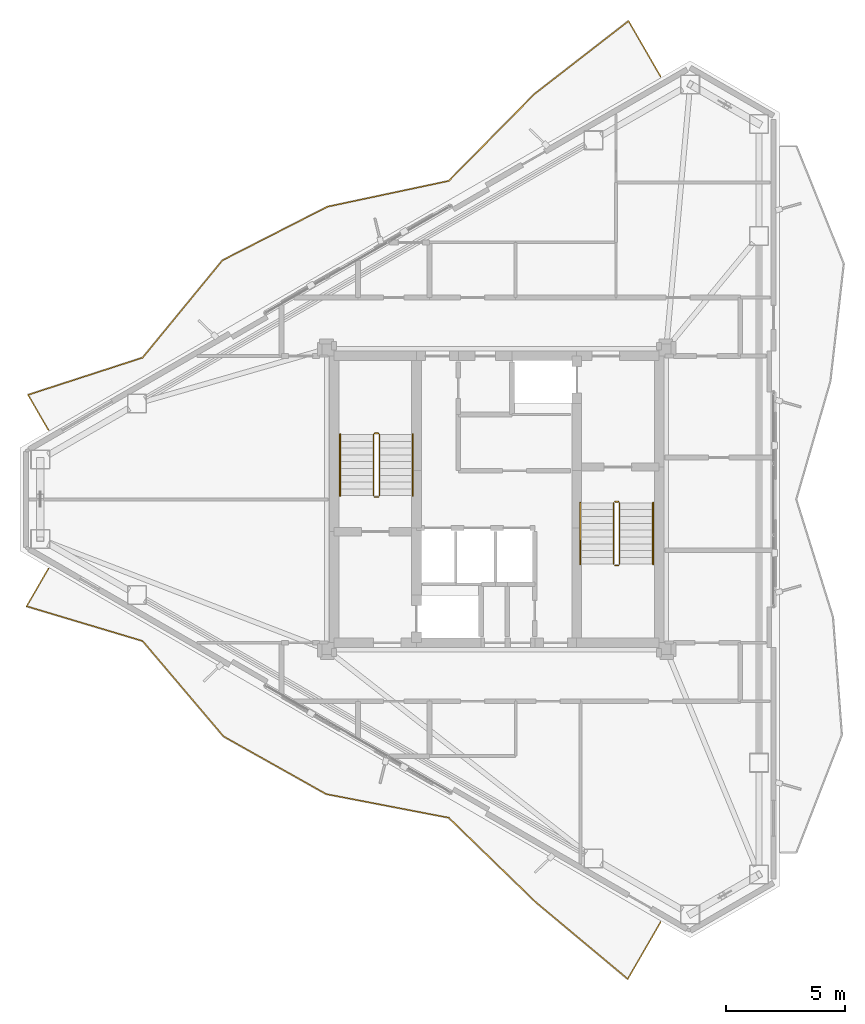
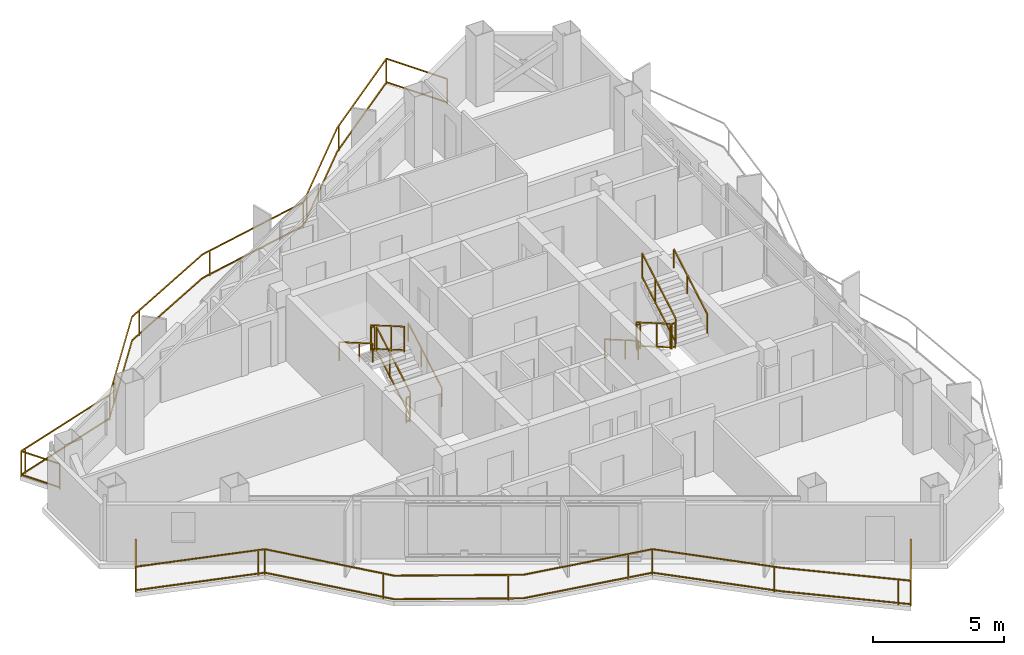
# One storey, part 20 of 21: 14 railings.
"""IFC4 building model written with IfcOpenShell, lengths in metres."""

from ifc_helpers import new_model, si_unit, direction, frame, origin, origin_2d, place, context, subcontext, project, spatial, rectangle, extrude, material, type_object, element, save


model = new_model("IFC4")

# Units and contexts
model_context = context("Model", 3, precision=1e-05, world=origin(), true_north=direction((0.0, 1.0)))
body_context = subcontext(model_context, "Body", "Model", "MODEL_VIEW")
ifc_project = project(units=[si_unit("LENGTHUNIT", "METRE"), si_unit("AREAUNIT", "SQUARE_METRE"), si_unit("VOLUMEUNIT", "CUBIC_METRE"), si_unit("PLANEANGLEUNIT", "RADIAN"), si_unit("MASSUNIT", "GRAM", prefix="KILO")], contexts=[model_context])

# Site, building, storey
site_placement = place(None, origin())
site = spatial("IfcSite", under=ifc_project, at=site_placement, CompositionType="ELEMENT")
building_placement = place(site_placement, origin())
building = spatial("IfcBuilding", under=site, at=building_placement, Name="Mersakhor Tower and Convention Hall", CompositionType="ELEMENT")
storey_placement = place(building_placement, frame((0.0, 0.0, 215.10009765625)))
storey = spatial("IfcBuildingStorey", under=building, at=storey_placement, Name="L60", CompositionType="ELEMENT", Elevation=215.10009765625)

# Railings
ifc_material_1 = material(Name="Powder-coated galvanised steel and laminated glass balustrade", Category="steel")
railing_type_1 = type_object("IfcRailingType", Name="RL-BAL-1200", PredefinedType="BALUSTRADE", material=ifc_material_1)
railing_1_placement = place(storey_placement, frame((35.86669921875, 44.44189453125, 0.0)))
element("IfcRailing", 1, at=railing_1_placement, inside=storey, type_object=railing_type_1, Name="L60 Sinusoidal Balcony Balustrade F1", PredefinedType="BALUSTRADE", context=body_context, shape_type="SweptSolid", body=[
    extrude(rectangle(XDim=0.048095703125, YDim=0.048095703125, at=origin_2d()), frame((0.0, 0.0, 1.17578125), z_axis=(-0.500024397361, 0.866011317503, 0.0), x_axis=(-0.866011317503, -0.500024397361, 0.0)), (0.0, 0.0, 1.0), 2.682861328125),
    extrude(rectangle(XDim=0.048095703125, YDim=0.048095703125, at=origin_2d()), frame((0.0, 0.0, 0.080078125), z_axis=(-0.500024397361, 0.866011317503, 0.0), x_axis=(-0.866011317503, -0.500024397361, 0.0)), (0.0, 0.0, 1.0), 2.682861328125),
    extrude(rectangle(XDim=0.048095703125, YDim=0.048095703125, at=origin_2d()), frame((-1.341552734375, 2.323486328125, 1.17578125), z_axis=(-0.790170348595, -0.612887281807, 0.0), x_axis=(0.612887281807, -0.790170348595, 0.0)), (0.0, 0.0, 1.0), 4.976806640625),
    extrude(rectangle(XDim=0.048095703125, YDim=0.048095703125, at=origin_2d()), frame((-1.341552734375, 2.323486328125, 0.080078125), z_axis=(-0.790170348595, -0.612887281807, 0.0), x_axis=(0.612887281807, -0.790170348595, 0.0)), (0.0, 0.0, 1.0), 4.976806640625),
    extrude(rectangle(XDim=0.048095703125, YDim=0.048095703125, at=origin_2d()), frame((-5.274169921875, -0.726806640625, 1.17578125), z_axis=(-0.702220775927, -0.711959255756, 0.0), x_axis=(0.711959255756, -0.702220775927, 0.0)), (0.0, 0.0, 1.0), 5.1142578125),
    extrude(rectangle(XDim=0.048095703125, YDim=0.048095703125, at=origin_2d()), frame((-5.274169921875, -0.726806640625, 0.080078125), z_axis=(-0.702220775927, -0.711959255756, 0.0), x_axis=(0.711959255756, -0.702220775927, 0.0)), (0.0, 0.0, 1.0), 5.1142578125),
    extrude(rectangle(XDim=0.048095703125, YDim=0.048095703125, at=origin_2d()), frame((-8.865478515625, -4.367919921875, 1.17578125), z_axis=(-0.978161363996, -0.20784692922, 0.0), x_axis=(0.20784692922, -0.978161363996, 0.0)), (0.0, 0.0, 1.0), 5.184814453125),
    extrude(rectangle(XDim=0.048095703125, YDim=0.048095703125, at=origin_2d()), frame((-8.865478515625, -4.367919921875, 0.080078125), z_axis=(-0.978161363996, -0.20784692922, 0.0), x_axis=(0.20784692922, -0.978161363996, 0.0)), (0.0, 0.0, 1.0), 5.184814453125),
    extrude(rectangle(XDim=0.048095703125, YDim=0.048095703125, at=origin_2d()), frame((-13.93701171875, -5.445556640625, 1.17578125), z_axis=(-0.890748388822, -0.454496763256, 0.0), x_axis=(0.454496763256, -0.890748388822, 0.0)), (0.0, 0.0, 1.0), 4.937744140625),
    extrude(rectangle(XDim=0.048095703125, YDim=0.048095703125, at=origin_2d()), frame((-13.93701171875, -5.445556640625, 0.080078125), z_axis=(-0.890748388822, -0.454496763256, 0.0), x_axis=(0.454496763256, -0.890748388822, 0.0)), (0.0, 0.0, 1.0), 4.937744140625),
    extrude(rectangle(XDim=0.048095703125, YDim=0.048095703125, at=origin_2d()), frame((-18.335205078125, -7.689697265625, 1.17578125), z_axis=(-0.634107846121, -0.773244618144, 0.0), x_axis=(0.773244618144, -0.634107846121, 0.0)), (0.0, 0.0, 1.0), 5.269287109375),
    extrude(rectangle(XDim=0.048095703125, YDim=0.048095703125, at=origin_2d()), frame((-18.335205078125, -7.689697265625, 0.080078125), z_axis=(-0.634107846121, -0.773244618144, 0.0), x_axis=(0.773244618144, -0.634107846121, 0.0)), (0.0, 0.0, 1.0), 5.269287109375),
    extrude(rectangle(XDim=0.048095703125, YDim=0.048095703125, at=origin_2d()), frame((-21.676513671875, -11.76416015625, 1.17578125), z_axis=(-0.951166725788, -0.3086775984, 0.0), x_axis=(0.3086775984, -0.951166725788, 0.0)), (0.0, 0.0, 1.0), 5.041259765625),
    extrude(rectangle(XDim=0.048095703125, YDim=0.048095703125, at=origin_2d()), frame((-21.676513671875, -11.76416015625, 0.080078125), z_axis=(-0.951166725788, -0.3086775984, 0.0), x_axis=(0.3086775984, -0.951166725788, 0.0)), (0.0, 0.0, 1.0), 5.041259765625),
    extrude(rectangle(XDim=0.048095703125, YDim=0.048095703125, at=origin_2d()), frame((-26.4716796875, -13.3203125, 1.17578125), z_axis=(0.499954529098, -0.86605165483, 0.0), x_axis=(0.86605165483, 0.499954529098, 0.0)), (0.0, 0.0, 1.0), 1.699951171875),
    extrude(rectangle(XDim=0.048095703125, YDim=0.048095703125, at=origin_2d()), frame((-26.4716796875, -13.3203125, 0.080078125), z_axis=(0.499954529098, -0.86605165483, 0.0), x_axis=(0.86605165483, 0.499954529098, 0.0)), (0.0, 0.0, 1.0), 1.699951171875),
    extrude(rectangle(XDim=0.0419921875, YDim=0.0419921875, at=origin_2d()), origin(), (0.0, 0.0, 1.0), 1.15185546875),
    extrude(rectangle(XDim=0.0419921875, YDim=0.0419921875, at=origin_2d()), frame((-1.341552734375, 2.323486328125, 0.0)), (0.0, 0.0, 1.0), 1.15185546875),
    extrude(rectangle(XDim=0.0419921875, YDim=0.0419921875, at=origin_2d()), frame((-5.13427734375, -0.618408203125, 0.0)), (0.0, 0.0, 1.0), 1.15185546875),
    extrude(rectangle(XDim=0.0419921875, YDim=0.0419921875, at=origin_2d()), frame((-8.5205078125, -4.018310546875, 0.0)), (0.0, 0.0, 1.0), 1.15185546875),
    extrude(rectangle(XDim=0.0419921875, YDim=0.0419921875, at=origin_2d()), frame((-8.865478515625, -4.367919921875, 0.0)), (0.0, 0.0, 1.0), 1.15185546875),
    extrude(rectangle(XDim=0.0419921875, YDim=0.0419921875, at=origin_2d()), frame((-13.560546875, -5.365478515625, 0.0)), (0.0, 0.0, 1.0), 1.15185546875),
    extrude(rectangle(XDim=0.0419921875, YDim=0.0419921875, at=origin_2d()), frame((-17.869873046875, -7.4521484375, 0.0)), (0.0, 0.0, 1.0), 1.15185546875),
    extrude(rectangle(XDim=0.0419921875, YDim=0.0419921875, at=origin_2d()), frame((-21.047607421875, -10.997314453125, 0.0)), (0.0, 0.0, 1.0), 1.15185546875),
    extrude(rectangle(XDim=0.0419921875, YDim=0.0419921875, at=origin_2d()), frame((-21.676513671875, -11.76416015625, 0.0)), (0.0, 0.0, 1.0), 1.15185546875),
    extrude(rectangle(XDim=0.0419921875, YDim=0.0419921875, at=origin_2d()), frame((-26.2421875, -13.245849609375, 0.0)), (0.0, 0.0, 1.0), 1.15185546875),
    extrude(rectangle(XDim=0.0419921875, YDim=0.0419921875, at=origin_2d()), frame((-26.4716796875, -13.3203125, 0.0)), (0.0, 0.0, 1.0), 1.15185546875),
    extrude(rectangle(XDim=0.0419921875, YDim=0.0419921875, at=origin_2d()), frame((-25.621826171875, -14.79248046875, 0.0)), (0.0, 0.0, 1.0), 1.15185546875),
])
railing_2_placement = place(storey_placement, frame((10.244873046875, 23.8505859375, 0.0)))
element("IfcRailing", 2, at=railing_2_placement, inside=storey, type_object=railing_type_1, Name="L60 Sinusoidal Balcony Balustrade F3", PredefinedType="BALUSTRADE", context=body_context, shape_type="SweptSolid", body=[
    extrude(rectangle(XDim=0.048095703125, YDim=0.048095703125, at=origin_2d()), frame((0.0, 0.0, 1.17578125), z_axis=(-0.499977996243, -0.866038107287, 0.0), x_axis=(0.866038107287, -0.499977996243, 0.0)), (0.0, 0.0, 1.0), 1.8193359375),
    extrude(rectangle(XDim=0.048095703125, YDim=0.048095703125, at=origin_2d()), frame((0.0, 0.0, 0.080078125), z_axis=(-0.499977996243, -0.866038107287, 0.0), x_axis=(0.866038107287, -0.499977996243, 0.0)), (0.0, 0.0, 1.0), 1.8193359375),
    extrude(rectangle(XDim=0.048095703125, YDim=0.048095703125, at=origin_2d()), frame((-0.90966796875, -1.57568359375, 1.17578125), z_axis=(0.958035531612, -0.286649472649, 0.0), x_axis=(0.286649472649, 0.958035531612, 0.0)), (0.0, 0.0, 1.0), 5.067626953125),
    extrude(rectangle(XDim=0.048095703125, YDim=0.048095703125, at=origin_2d()), frame((-0.90966796875, -1.57568359375, 0.080078125), z_axis=(0.958035531612, -0.286649472649, 0.0), x_axis=(0.286649472649, 0.958035531612, 0.0)), (0.0, 0.0, 1.0), 5.067626953125),
    extrude(rectangle(XDim=0.048095703125, YDim=0.048095703125, at=origin_2d()), frame((3.9453125, -3.0283203125, 1.17578125), z_axis=(0.646859167824, -0.762609478699, 0.0), x_axis=(0.762609478699, 0.646859167824, 0.0)), (0.0, 0.0, 1.0), 5.237060546875),
    extrude(rectangle(XDim=0.048095703125, YDim=0.048095703125, at=origin_2d()), frame((3.9453125, -3.0283203125, 0.080078125), z_axis=(0.646859167824, -0.762609478699, 0.0), x_axis=(0.762609478699, 0.646859167824, 0.0)), (0.0, 0.0, 1.0), 5.237060546875),
    extrude(rectangle(XDim=0.048095703125, YDim=0.048095703125, at=origin_2d()), frame((7.3330078125, -7.022216796875, 1.17578125), z_axis=(0.871929649471, -0.489631173817, 0.0), x_axis=(0.489631173817, 0.871929649471, 0.0)), (0.0, 0.0, 1.0), 4.931396484375),
    extrude(rectangle(XDim=0.048095703125, YDim=0.048095703125, at=origin_2d()), frame((7.3330078125, -7.022216796875, 0.080078125), z_axis=(0.871929649471, -0.489631173817, 0.0), x_axis=(0.489631173817, 0.871929649471, 0.0)), (0.0, 0.0, 1.0), 4.931396484375),
    extrude(rectangle(XDim=0.048095703125, YDim=0.048095703125, at=origin_2d()), frame((11.6328125, -9.436767578125, 1.17578125), z_axis=(0.981917565874, -0.189308990352, 0.0), x_axis=(0.189308990352, 0.981917565874, 0.0)), (0.0, 0.0, 1.0), 5.2177734375),
    extrude(rectangle(XDim=0.048095703125, YDim=0.048095703125, at=origin_2d()), frame((11.6328125, -9.436767578125, 0.080078125), z_axis=(0.981917565874, -0.189308990352, 0.0), x_axis=(0.189308990352, 0.981917565874, 0.0)), (0.0, 0.0, 1.0), 5.2177734375),
    extrude(rectangle(XDim=0.048095703125, YDim=0.048095703125, at=origin_2d()), frame((16.75634765625, -10.424560546875, 1.17578125), z_axis=(0.7178516704, -0.696196078202, 0.0), x_axis=(0.696196078202, 0.7178516704, 0.0)), (0.0, 0.0, 1.0), 5.08447265625),
    extrude(rectangle(XDim=0.048095703125, YDim=0.048095703125, at=origin_2d()), frame((16.75634765625, -10.424560546875, 0.080078125), z_axis=(0.7178516704, -0.696196078202, 0.0), x_axis=(0.696196078202, 0.7178516704, 0.0)), (0.0, 0.0, 1.0), 5.08447265625),
    extrude(rectangle(XDim=0.048095703125, YDim=0.048095703125, at=origin_2d()), frame((20.40625, -13.96435546875, 1.17578125), z_axis=(0.767561135423, -0.640975743213, 0.0), x_axis=(0.640975743213, 0.767561135423, 0.0)), (0.0, 0.0, 1.0), 5.0048828125),
    extrude(rectangle(XDim=0.048095703125, YDim=0.048095703125, at=origin_2d()), frame((20.40625, -13.96435546875, 0.080078125), z_axis=(0.767561135423, -0.640975743213, 0.0), x_axis=(0.640975743213, 0.767561135423, 0.0)), (0.0, 0.0, 1.0), 5.0048828125),
    extrude(rectangle(XDim=0.048095703125, YDim=0.048095703125, at=origin_2d()), frame((24.247802734375, -17.17236328125, 1.17578125), z_axis=(0.499999305434, 0.866025804792, 0.0), x_axis=(-0.866025804792, 0.499999305434, 0.0)), (0.0, 0.0, 1.0), 2.748046875),
    extrude(rectangle(XDim=0.048095703125, YDim=0.048095703125, at=origin_2d()), frame((24.247802734375, -17.17236328125, 0.080078125), z_axis=(0.499999305434, 0.866025804792, 0.0), x_axis=(-0.866025804792, 0.499999305434, 0.0)), (0.0, 0.0, 1.0), 2.748046875),
    extrude(rectangle(XDim=0.0419921875, YDim=0.0419921875, at=origin_2d()), origin(), (0.0, 0.0, 1.0), 1.15185546875),
    extrude(rectangle(XDim=0.0419921875, YDim=0.0419921875, at=origin_2d()), frame((-0.90966796875, -1.57568359375, 0.0)), (0.0, 0.0, 1.0), 1.15185546875),
    extrude(rectangle(XDim=0.0419921875, YDim=0.0419921875, at=origin_2d()), frame((3.68896484375, -2.95166015625, 0.0)), (0.0, 0.0, 1.0), 1.15185546875),
    extrude(rectangle(XDim=0.0419921875, YDim=0.0419921875, at=origin_2d()), frame((3.9453125, -3.0283203125, 0.0)), (0.0, 0.0, 1.0), 1.15185546875),
    extrude(rectangle(XDim=0.0419921875, YDim=0.0419921875, at=origin_2d()), frame((7.05029296875, -6.68896484375, 0.0)), (0.0, 0.0, 1.0), 1.15185546875),
    extrude(rectangle(XDim=0.0419921875, YDim=0.0419921875, at=origin_2d()), frame((11.13720703125, -9.158447265625, 0.0)), (0.0, 0.0, 1.0), 1.15185546875),
    extrude(rectangle(XDim=0.0419921875, YDim=0.0419921875, at=origin_2d()), frame((15.787841796875, -10.23779296875, 0.0)), (0.0, 0.0, 1.0), 1.15185546875),
    extrude(rectangle(XDim=0.0419921875, YDim=0.0419921875, at=origin_2d()), frame((16.75634765625, -10.424560546875, 0.0)), (0.0, 0.0, 1.0), 1.15185546875),
    extrude(rectangle(XDim=0.0419921875, YDim=0.0419921875, at=origin_2d()), frame((20.2021484375, -13.766357421875, 0.0)), (0.0, 0.0, 1.0), 1.15185546875),
    extrude(rectangle(XDim=0.0419921875, YDim=0.0419921875, at=origin_2d()), frame((23.8720703125, -16.858642578125, 0.0)), (0.0, 0.0, 1.0), 1.15185546875),
    extrude(rectangle(XDim=0.0419921875, YDim=0.0419921875, at=origin_2d()), frame((24.247802734375, -17.17236328125, 0.0)), (0.0, 0.0, 1.0), 1.15185546875),
    extrude(rectangle(XDim=0.0419921875, YDim=0.0419921875, at=origin_2d()), frame((25.621826171875, -14.79248046875, 0.0)), (0.0, 0.0, 1.0), 1.15185546875),
])
ifc_material_2 = material(Name="Brushed stainless steel handrail", Category="steel")
railing_type_2 = type_object("IfcRailingType", Name="RL-HR-900", PredefinedType="HANDRAIL", material=ifc_material_2)
railing_3_placement = place(storey_placement, frame((25.5, 26.89990234375, 0.164794921875)))
element("IfcRailing", 3, at=railing_3_placement, inside=storey, type_object=railing_type_2, Name="L60 ST-1 stair handrail 1", PredefinedType="HANDRAIL", context=body_context, shape_type="SweptSolid", body=[
    extrude(rectangle(XDim=0.048095703125, YDim=0.048095703125, at=origin_2d()), frame((0.0, 0.0, 0.8759765625), z_axis=(0.0, 0.865426285481, 0.501036270542), x_axis=(-1.0, 0.0, 0.0)), (0.0, 0.0, 1.0), 2.964111328125),
    extrude(rectangle(XDim=0.0419921875, YDim=0.0419921875, at=origin_2d()), origin(), (0.0, 0.0, 1.0), 0.851806640625),
    extrude(rectangle(XDim=0.0419921875, YDim=0.0419921875, at=origin_2d()), frame((0.0, 1.557861328125, 0.90185546875)), (0.0, 0.0, 1.0), 0.851806640625),
    extrude(rectangle(XDim=0.0419921875, YDim=0.0419921875, at=origin_2d()), frame((0.0, 2.565185546875, 1.485107421875)), (0.0, 0.0, 1.0), 0.851806640625),
])
railing_4_placement = place(storey_placement, frame((22.449951171875, 29.465087890625, 1.81494140625)))
element("IfcRailing", 4, at=railing_4_placement, inside=storey, type_object=railing_type_2, Name="L60 ST-1 stair handrail 2", PredefinedType="HANDRAIL", context=body_context, shape_type="SweptSolid", body=[
    extrude(rectangle(XDim=0.048095703125, YDim=0.048095703125, at=origin_2d()), frame((0.0, 0.0, 0.8759765625), z_axis=(0.0, -0.865461999751, 0.500974577186), x_axis=(1.0, 0.0, 0.0)), (0.0, 0.0, 1.0), 2.9638671875),
    extrude(rectangle(XDim=0.0419921875, YDim=0.0419921875, at=origin_2d()), origin(), (0.0, 0.0, 1.0), 0.851806640625),
    extrude(rectangle(XDim=0.0419921875, YDim=0.0419921875, at=origin_2d()), frame((0.0, -1.557861328125, 0.90185546875)), (0.0, 0.0, 1.0), 0.851806640625),
    extrude(rectangle(XDim=0.0419921875, YDim=0.0419921875, at=origin_2d()), frame((0.0, -2.565185546875, 1.48486328125)), (0.0, 0.0, 1.0), 0.851806640625),
])
railing_5_placement = place(storey_placement, frame((32.5, 26.60009765625, 0.164794921875)))
element("IfcRailing", 5, at=railing_5_placement, inside=storey, type_object=railing_type_2, Name="L60 ST-2 stair handrail 1", PredefinedType="HANDRAIL", context=body_context, shape_type="SweptSolid", body=[
    extrude(rectangle(XDim=0.048095703125, YDim=0.048095703125, at=origin_2d()), frame((0.0, 0.0, 0.8759765625), z_axis=(0.0, -0.865426285481, 0.501036270542), x_axis=(1.0, 0.0, 0.0)), (0.0, 0.0, 1.0), 2.964111328125),
    extrude(rectangle(XDim=0.0419921875, YDim=0.0419921875, at=origin_2d()), origin(), (0.0, 0.0, 1.0), 0.851806640625),
    extrude(rectangle(XDim=0.0419921875, YDim=0.0419921875, at=origin_2d()), frame((0.0, -1.557861328125, 0.90185546875)), (0.0, 0.0, 1.0), 0.851806640625),
    extrude(rectangle(XDim=0.0419921875, YDim=0.0419921875, at=origin_2d()), frame((0.0, -2.565185546875, 1.485107421875)), (0.0, 0.0, 1.0), 0.851806640625),
])
railing_6_placement = place(storey_placement, frame((35.550048828125, 24.034912109375, 1.81494140625)))
element("IfcRailing", 6, at=railing_6_placement, inside=storey, type_object=railing_type_2, Name="L60 ST-2 stair handrail 2", PredefinedType="HANDRAIL", context=body_context, shape_type="SweptSolid", body=[
    extrude(rectangle(XDim=0.048095703125, YDim=0.048095703125, at=origin_2d()), frame((0.0, 0.0, 0.8759765625), z_axis=(0.0, 0.865461999751, 0.500974577186), x_axis=(-1.0, 0.0, 0.0)), (0.0, 0.0, 1.0), 2.9638671875),
    extrude(rectangle(XDim=0.0419921875, YDim=0.0419921875, at=origin_2d()), origin(), (0.0, 0.0, 1.0), 0.851806640625),
    extrude(rectangle(XDim=0.0419921875, YDim=0.0419921875, at=origin_2d()), frame((0.0, 1.557861328125, 0.90185546875)), (0.0, 0.0, 1.0), 0.851806640625),
    extrude(rectangle(XDim=0.0419921875, YDim=0.0419921875, at=origin_2d()), frame((0.0, 2.565185546875, 1.48486328125)), (0.0, 0.0, 1.0), 0.851806640625),
])
ifc_material_3 = material(Name="Painted steel stair balustrade S355", Category="steel")
railing_type_3 = type_object("IfcRailingType", Name="RL-STG-1200", PredefinedType="BALUSTRADE", material=ifc_material_3)
railing_7_placement = place(storey_placement, frame((24.10009765625, 26.89990234375, 0.164794921875)))
element("IfcRailing", 7, at=railing_7_placement, inside=storey, type_object=railing_type_3, Name="L60 ST-1 stair guard 1", PredefinedType="BALUSTRADE", context=body_context, shape_type="SweptSolid", body=[
    extrude(rectangle(XDim=0.048095703125, YDim=0.048095703125, at=origin_2d()), frame((0.0, 0.0, 1.17578125), z_axis=(0.0, 0.865426285481, 0.501036270542), x_axis=(-1.0, 0.0, 0.0)), (0.0, 0.0, 1.0), 2.964111328125),
    extrude(rectangle(XDim=0.048095703125, YDim=0.048095703125, at=origin_2d()), frame((0.0, 0.0, 0.080078125), z_axis=(0.0, 0.865426285481, 0.501036270542), x_axis=(-1.0, 0.0, 0.0)), (0.0, 0.0, 1.0), 2.964111328125),
    extrude(rectangle(XDim=0.0419921875, YDim=0.0419921875, at=origin_2d()), origin(), (0.0, 0.0, 1.0), 1.15185546875),
    extrude(rectangle(XDim=0.0419921875, YDim=0.0419921875, at=origin_2d()), frame((0.0, 1.557861328125, 0.90185546875)), (0.0, 0.0, 1.0), 1.15185546875),
    extrude(rectangle(XDim=0.0419921875, YDim=0.0419921875, at=origin_2d()), frame((0.0, 2.565185546875, 1.485107421875)), (0.0, 0.0, 1.0), 1.15185546875),
])
railing_8_placement = place(storey_placement, frame((24.050048828125, 29.514892578125, 1.64990234375)))
element("IfcRailing", 8, at=railing_8_placement, inside=storey, type_object=railing_type_3, Name="L60 ST-1 stair guard 2", PredefinedType="BALUSTRADE", context=body_context, shape_type="SweptSolid", body=[
    extrude(rectangle(XDim=0.048095703125, YDim=0.048095703125, at=origin_2d()), frame((0.0, 0.0, 1.17578125), z_axis=(-1.0, 0.0, 0.0), x_axis=(0.0, -1.0, 0.0)), (0.0, 0.0, 1.0), 0.150146484375),
    extrude(rectangle(XDim=0.048095703125, YDim=0.048095703125, at=origin_2d()), frame((0.0, 0.0, 0.080078125), z_axis=(-1.0, 0.0, 0.0), x_axis=(0.0, -1.0, 0.0)), (0.0, 0.0, 1.0), 0.150146484375),
    extrude(rectangle(XDim=0.0419921875, YDim=0.0419921875, at=origin_2d()), origin(), (0.0, 0.0, 1.0), 1.15185546875),
    extrude(rectangle(XDim=0.0419921875, YDim=0.0419921875, at=origin_2d()), frame((-0.150146484375, 0.0, 0.0)), (0.0, 0.0, 1.0), 1.15185546875),
])
railing_9_placement = place(storey_placement, frame((23.85009765625, 29.465087890625, 1.81494140625)))
element("IfcRailing", 9, at=railing_9_placement, inside=storey, type_object=railing_type_3, Name="L60 ST-1 stair guard 3", PredefinedType="BALUSTRADE", context=body_context, shape_type="SweptSolid", body=[
    extrude(rectangle(XDim=0.048095703125, YDim=0.048095703125, at=origin_2d()), frame((0.0, 0.0, 1.17578125), z_axis=(0.0, -0.865461999751, 0.500974577186), x_axis=(1.0, 0.0, 0.0)), (0.0, 0.0, 1.0), 2.9638671875),
    extrude(rectangle(XDim=0.048095703125, YDim=0.048095703125, at=origin_2d()), frame((0.0, 0.0, 0.080078125), z_axis=(0.0, -0.865461999751, 0.500974577186), x_axis=(1.0, 0.0, 0.0)), (0.0, 0.0, 1.0), 2.9638671875),
    extrude(rectangle(XDim=0.0419921875, YDim=0.0419921875, at=origin_2d()), origin(), (0.0, 0.0, 1.0), 1.15185546875),
    extrude(rectangle(XDim=0.0419921875, YDim=0.0419921875, at=origin_2d()), frame((0.0, -1.557861328125, 0.90185546875)), (0.0, 0.0, 1.0), 1.15185546875),
    extrude(rectangle(XDim=0.0419921875, YDim=0.0419921875, at=origin_2d()), frame((0.0, -2.565185546875, 1.48486328125)), (0.0, 0.0, 1.0), 1.15185546875),
])
railing_10_placement = place(storey_placement, frame((24.050048828125, 26.85009765625, 0.0)))
element("IfcRailing", 10, at=railing_10_placement, inside=storey, type_object=railing_type_3, Name="L60 ST-1 stair guard 4", PredefinedType="BALUSTRADE", context=body_context, shape_type="SweptSolid", body=[
    extrude(rectangle(XDim=0.048095703125, YDim=0.048095703125, at=origin_2d()), frame((0.0, 0.0, 1.17578125), z_axis=(-1.0, 0.0, 0.0), x_axis=(0.0, -1.0, 0.0)), (0.0, 0.0, 1.0), 0.150146484375),
    extrude(rectangle(XDim=0.048095703125, YDim=0.048095703125, at=origin_2d()), frame((0.0, 0.0, 0.080078125), z_axis=(-1.0, 0.0, 0.0), x_axis=(0.0, -1.0, 0.0)), (0.0, 0.0, 1.0), 0.150146484375),
    extrude(rectangle(XDim=0.0419921875, YDim=0.0419921875, at=origin_2d()), origin(), (0.0, 0.0, 1.0), 1.15185546875),
    extrude(rectangle(XDim=0.0419921875, YDim=0.0419921875, at=origin_2d()), frame((-0.150146484375, 0.0, 0.0)), (0.0, 0.0, 1.0), 1.15185546875),
])
railing_11_placement = place(storey_placement, frame((33.89990234375, 26.60009765625, 0.164794921875)))
element("IfcRailing", 11, at=railing_11_placement, inside=storey, type_object=railing_type_3, Name="L60 ST-2 stair guard 1", PredefinedType="BALUSTRADE", context=body_context, shape_type="SweptSolid", body=[
    extrude(rectangle(XDim=0.048095703125, YDim=0.048095703125, at=origin_2d()), frame((0.0, 0.0, 1.17578125), z_axis=(0.0, -0.865426285481, 0.501036270542), x_axis=(1.0, 0.0, 0.0)), (0.0, 0.0, 1.0), 2.964111328125),
    extrude(rectangle(XDim=0.048095703125, YDim=0.048095703125, at=origin_2d()), frame((0.0, 0.0, 0.080078125), z_axis=(0.0, -0.865426285481, 0.501036270542), x_axis=(1.0, 0.0, 0.0)), (0.0, 0.0, 1.0), 2.964111328125),
    extrude(rectangle(XDim=0.0419921875, YDim=0.0419921875, at=origin_2d()), origin(), (0.0, 0.0, 1.0), 1.15185546875),
    extrude(rectangle(XDim=0.0419921875, YDim=0.0419921875, at=origin_2d()), frame((0.0, -1.557861328125, 0.90185546875)), (0.0, 0.0, 1.0), 1.15185546875),
    extrude(rectangle(XDim=0.0419921875, YDim=0.0419921875, at=origin_2d()), frame((0.0, -2.565185546875, 1.485107421875)), (0.0, 0.0, 1.0), 1.15185546875),
])
railing_12_placement = place(storey_placement, frame((33.949951171875, 23.985107421875, 1.64990234375)))
element("IfcRailing", 12, at=railing_12_placement, inside=storey, type_object=railing_type_3, Name="L60 ST-2 stair guard 2", PredefinedType="BALUSTRADE", context=body_context, shape_type="SweptSolid", body=[
    extrude(rectangle(XDim=0.048095703125, YDim=0.048095703125, at=origin_2d()), frame((0.0, 0.0, 1.17578125), z_axis=(1.0, 0.0, 0.0), x_axis=(0.0, 1.0, 0.0)), (0.0, 0.0, 1.0), 0.150146484375),
    extrude(rectangle(XDim=0.048095703125, YDim=0.048095703125, at=origin_2d()), frame((0.0, 0.0, 0.080078125), z_axis=(1.0, 0.0, 0.0), x_axis=(0.0, 1.0, 0.0)), (0.0, 0.0, 1.0), 0.150146484375),
    extrude(rectangle(XDim=0.0419921875, YDim=0.0419921875, at=origin_2d()), origin(), (0.0, 0.0, 1.0), 1.15185546875),
    extrude(rectangle(XDim=0.0419921875, YDim=0.0419921875, at=origin_2d()), frame((0.150146484375, 0.0, 0.0)), (0.0, 0.0, 1.0), 1.15185546875),
])
railing_13_placement = place(storey_placement, frame((34.14990234375, 24.034912109375, 1.81494140625)))
element("IfcRailing", 13, at=railing_13_placement, inside=storey, type_object=railing_type_3, Name="L60 ST-2 stair guard 3", PredefinedType="BALUSTRADE", context=body_context, shape_type="SweptSolid", body=[
    extrude(rectangle(XDim=0.048095703125, YDim=0.048095703125, at=origin_2d()), frame((0.0, 0.0, 1.17578125), z_axis=(0.0, 0.865461999751, 0.500974577186), x_axis=(-1.0, 0.0, 0.0)), (0.0, 0.0, 1.0), 2.9638671875),
    extrude(rectangle(XDim=0.048095703125, YDim=0.048095703125, at=origin_2d()), frame((0.0, 0.0, 0.080078125), z_axis=(0.0, 0.865461999751, 0.500974577186), x_axis=(-1.0, 0.0, 0.0)), (0.0, 0.0, 1.0), 2.9638671875),
    extrude(rectangle(XDim=0.0419921875, YDim=0.0419921875, at=origin_2d()), origin(), (0.0, 0.0, 1.0), 1.15185546875),
    extrude(rectangle(XDim=0.0419921875, YDim=0.0419921875, at=origin_2d()), frame((0.0, 1.557861328125, 0.90185546875)), (0.0, 0.0, 1.0), 1.15185546875),
    extrude(rectangle(XDim=0.0419921875, YDim=0.0419921875, at=origin_2d()), frame((0.0, 2.565185546875, 1.48486328125)), (0.0, 0.0, 1.0), 1.15185546875),
])
railing_14_placement = place(storey_placement, frame((33.949951171875, 26.64990234375, 0.0)))
element("IfcRailing", 14, at=railing_14_placement, inside=storey, type_object=railing_type_3, Name="L60 ST-2 stair guard 4", PredefinedType="BALUSTRADE", context=body_context, shape_type="SweptSolid", body=[
    extrude(rectangle(XDim=0.048095703125, YDim=0.048095703125, at=origin_2d()), frame((0.0, 0.0, 1.17578125), z_axis=(1.0, 0.0, 0.0), x_axis=(0.0, 1.0, 0.0)), (0.0, 0.0, 1.0), 0.150146484375),
    extrude(rectangle(XDim=0.048095703125, YDim=0.048095703125, at=origin_2d()), frame((0.0, 0.0, 0.080078125), z_axis=(1.0, 0.0, 0.0), x_axis=(0.0, 1.0, 0.0)), (0.0, 0.0, 1.0), 0.150146484375),
    extrude(rectangle(XDim=0.0419921875, YDim=0.0419921875, at=origin_2d()), origin(), (0.0, 0.0, 1.0), 1.15185546875),
    extrude(rectangle(XDim=0.0419921875, YDim=0.0419921875, at=origin_2d()), frame((0.150146484375, 0.0, 0.0)), (0.0, 0.0, 1.0), 1.15185546875),
])

save(model, "model.ifc")
